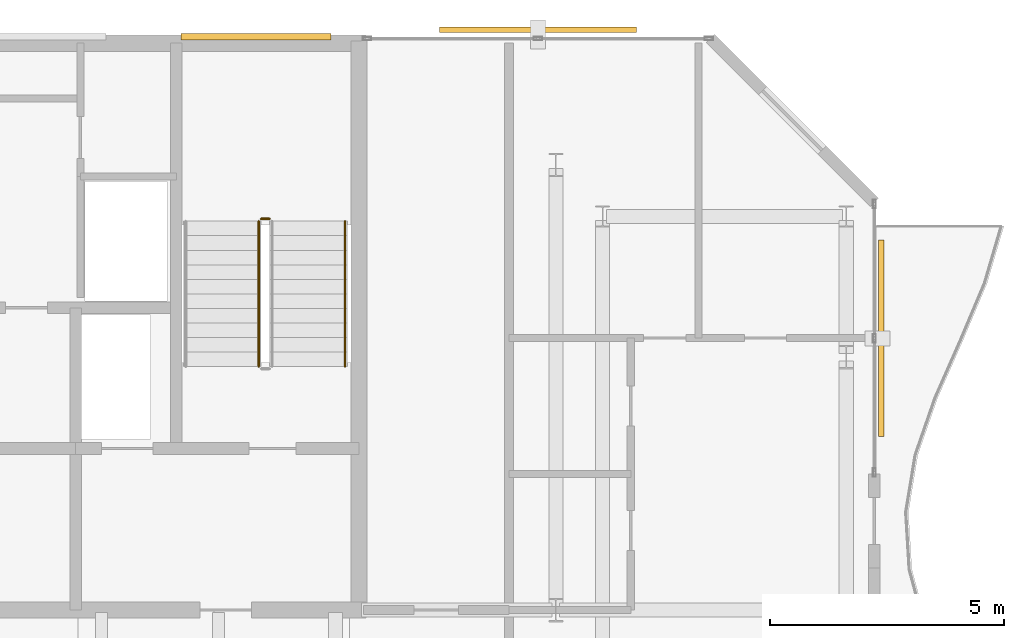
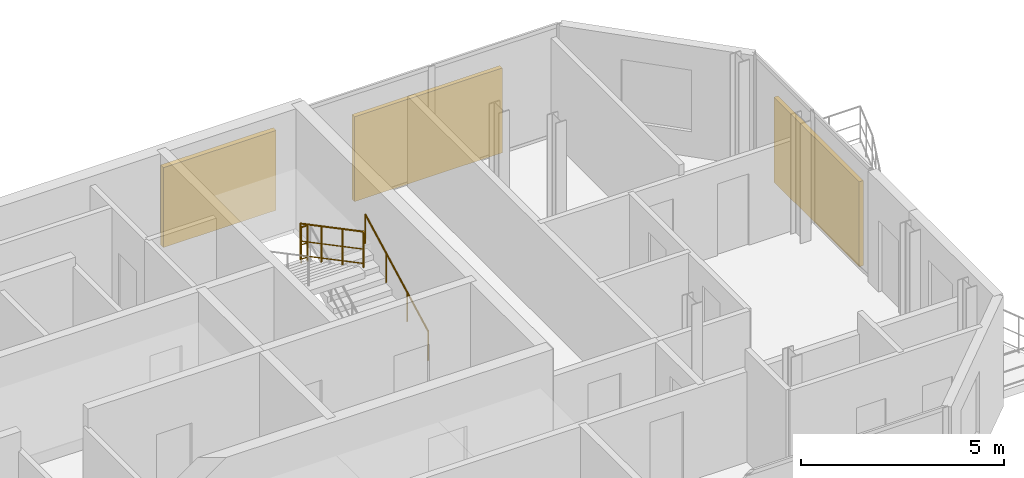
# One storey, part 23 of 23: 3 railings, 3 shading devices.
"""IFC4 building model written with IfcOpenShell, lengths in metres."""

import ifcopenshell
import ifcopenshell.guid

model = None  # the IFC model being written
_history = None  # IfcOwnerHistory: only IFC2X3 demands one
_inside = {}  # id of a spatial element -> (the spatial element, [elements in it])
_under = {}  # id of a project, library or spatial element -> (it, [spatial elements below it])
_declared = {}  # id of a project -> (the project, [libraries it declares])
_typed = {}  # id of a type object -> (the type object, [elements of that type])
_made_of = {}  # id of a material, layer set ... -> (it, [elements and type objects made of it])


def new_model(schema):
    """Start an empty IFC model of exactly this schema.

    Asked for "IFC4X3", IfcOpenShell would pick the latest addendum, in which some entities
    have other attributes; the version numbers below select the first issue.
    IFC2X3 requires an IfcOwnerHistory on every rooted entity: one is made here for all.
    """
    global model, _history
    if schema == "IFC4X3":
        model = ifcopenshell.file(schema_version=(4, 3, 0, 0))
    else:
        model = ifcopenshell.file(schema=schema)
    _inside.clear()
    _under.clear()
    _declared.clear()
    _typed.clear()
    _made_of.clear()
    _history = None
    if model.schema == "IFC2X3":
        org = make("IfcOrganization", Name="unknown")
        user = make(
            "IfcPersonAndOrganization",
            ThePerson=make("IfcPerson", FamilyName="unknown"),
            TheOrganization=org,
        )
        app = make(
            "IfcApplication",
            ApplicationDeveloper=org,
            Version="unknown",
            ApplicationFullName="unknown",
            ApplicationIdentifier="unknown",
        )
        _history = make(
            "IfcOwnerHistory",
            OwningUser=user,
            OwningApplication=app,
            ChangeAction="ADDED",
            CreationDate=0,
        )
    return model


def make(cls, **values):
    """One entity of the class cls with the attributes given. An attribute that is None is left unset."""
    return model.create_entity(
        cls, **{name: value for name, value in values.items() if value is not None}
    )


def rooted(cls, **values):
    """An entity with a GlobalId (a new one), such as an element, a storey or a relation."""
    return make(cls, GlobalId=ifcopenshell.guid.new(), OwnerHistory=_history, **values)


def si_unit(unit_type, name, prefix=None):
    """IfcSIUnit, for example si_unit("LENGTHUNIT", "METRE", prefix="MILLI")."""
    return make("IfcSIUnit", UnitType=unit_type, Prefix=prefix, Name=name)


def assignment(units):
    """IfcUnitAssignment: the units of a project."""
    return None if units is None else make("IfcUnitAssignment", Units=units)


def point(xyz):
    """IfcCartesianPoint."""
    return None if xyz is None else make("IfcCartesianPoint", Coordinates=xyz)


def direction(xyz):
    """IfcDirection."""
    return None if xyz is None else make("IfcDirection", DirectionRatios=xyz)


def frame(location, z_axis=None, x_axis=None):
    """IfcAxis2Placement3D, a coordinate frame: its origin and axes. An axis left out is left unset."""
    return make(
        "IfcAxis2Placement3D",
        Location=point(location),
        Axis=direction(z_axis),
        RefDirection=direction(x_axis),
    )


def frame_2d(location, x_axis=None):
    """IfcAxis2Placement2D, a coordinate frame in the plane: its origin and x axis."""
    return make(
        "IfcAxis2Placement2D", Location=point(location), RefDirection=direction(x_axis)
    )


def origin():
    """The frame at (0, 0, 0) with its axes left unset."""
    return frame((0.0, 0.0, 0.0))


def origin_2d():
    """The frame at (0, 0) in the plane with its x axis left unset."""
    return frame_2d((0.0, 0.0))


def place(relative_to, where):
    """IfcLocalPlacement: puts the frame where relative to a parent placement (None: the world)."""
    return make(
        "IfcLocalPlacement", PlacementRelTo=relative_to, RelativePlacement=where
    )


def context(
    kind, dimensions, precision=None, world=None, true_north=None, identifier=None
):
    """IfcGeometricRepresentationContext, for example the 3D "Model" context."""
    return make(
        "IfcGeometricRepresentationContext",
        ContextIdentifier=identifier,
        ContextType=kind,
        CoordinateSpaceDimension=dimensions,
        Precision=precision,
        WorldCoordinateSystem=world,
        TrueNorth=true_north,
    )


def subcontext(parent, identifier, kind, view, scale=None):
    """IfcGeometricRepresentationSubContext, for example "Body" below "Model"."""
    return make(
        "IfcGeometricRepresentationSubContext",
        ContextIdentifier=identifier,
        ContextType=kind,
        ParentContext=parent,
        TargetScale=scale,
        TargetView=view,
    )


def project(units=None, contexts=None):
    """IfcProject with its units and contexts."""
    return rooted(
        "IfcProject",
        Name="project",
        RepresentationContexts=contexts,
        UnitsInContext=assignment(units),
    )


def spatial(cls, under=None, at=None, **own):
    """A site, building, storey or space (cls), placed at a placement, below another one or the project."""
    s = rooted(cls, ObjectPlacement=at, **own)
    if under is not None:
        _under.setdefault(under.id(), (under, []))[1].append(s)
    return s


def profile(cls, at=None, kind="AREA", **sizes):
    """A parametric profile (cls). Its sizes go by their IFC names, for example OverallWidth=200.0."""
    return make(cls, ProfileType=kind, Position=at, **sizes)


def rectangle(**sizes):
    """IfcRectangleProfileDef."""
    return profile("IfcRectangleProfileDef", **sizes)


def circle(**sizes):
    """IfcCircleProfileDef."""
    return profile("IfcCircleProfileDef", **sizes)


def extrude(swept, where, along, depth):
    """IfcExtrudedAreaSolid: the profile swept, set in the frame where, extruded along a direction by depth."""
    return make(
        "IfcExtrudedAreaSolid",
        SweptArea=swept,
        Position=where,
        ExtrudedDirection=direction(along),
        Depth=depth,
    )


def shape(context_of_items, identifier, shape_type, items):
    """IfcShapeRepresentation: the items that make up one representation, for example the "Body"."""
    return make(
        "IfcShapeRepresentation",
        ContextOfItems=context_of_items,
        RepresentationIdentifier=identifier,
        RepresentationType=shape_type,
        Items=items,
    )


def material(Name=None, Category=None):
    """IfcMaterial."""
    return make("IfcMaterial", Name=Name, Category=Category)


def made_of(thing, what):
    """Note that an element or type object is made of a material, layer set ...; save() writes the relation."""
    if what is not None:
        _made_of.setdefault(what.id(), (what, []))[1].append(thing)
    return thing


def type_object(cls, material=None, **own):
    """A type object (cls), such as IfcWallType, which elements share."""
    return made_of(rooted(cls, **own), material)


def element(
    cls,
    number,
    at=None,
    inside=None,
    cuts=None,
    type_object=None,
    material=None,
    context=None,
    identifier="Body",
    shape_type=None,
    held_by="IfcProductDefinitionShape",
    body=None,
    shapes=None,
    **own,
):
    """One element of the class cls, such as IfcWall. Its Tag is "e" and its number.

    at: its placement. inside: the storey or other place that contains it. cuts: it is an
    opening in that element (IfcRelVoidsElement). A single representation is given by context,
    identifier, shape_type and body (its items); several are given by shapes. held_by: the class
    of the entity that holds the representations. save() writes the other relations.
    """
    e = rooted(cls, Tag="e%d" % number, ObjectPlacement=at, **own)
    if body is not None:
        shapes = [shape(context, identifier, shape_type, body)]
    if shapes is not None:
        e.Representation = make(held_by, Representations=shapes)
    if inside is not None:
        _inside.setdefault(inside.id(), (inside, []))[1].append(e)
    if cuts is not None:
        rooted(
            "IfcRelVoidsElement", RelatingBuildingElement=cuts, RelatedOpeningElement=e
        )
    if type_object is not None:
        _typed.setdefault(type_object.id(), (type_object, []))[1].append(e)
    return made_of(e, material)


def aggregate(whole, parts):
    """IfcRelAggregates: a whole, such as a stair, and the parts it consists of."""
    return rooted("IfcRelAggregates", RelatingObject=whole, RelatedObjects=parts)


def save(model, path):
    """Write the relations noted so far, then the file.

    IfcRelAggregates (storeys below a building ...), IfcRelContainedInSpatialStructure (elements
    in a storey), IfcRelDefinesByType, IfcRelAssociatesMaterial and IfcRelDeclares: one each for
    every whole, place, type object, material and project.
    """
    for whole, parts in _under.values():
        aggregate(whole, parts)
    for where, things in _inside.values():
        rooted(
            "IfcRelContainedInSpatialStructure",
            RelatedElements=things,
            RelatingStructure=where,
        )
    for kind, things in _typed.values():
        rooted("IfcRelDefinesByType", RelatedObjects=things, RelatingType=kind)
    for what, things in _made_of.values():
        rooted("IfcRelAssociatesMaterial", RelatedObjects=things, RelatingMaterial=what)
    for by, libraries in _declared.values():
        rooted("IfcRelDeclares", RelatingContext=by, RelatedDefinitions=libraries)
    model.write(path)


model = new_model("IFC4")

# Units and contexts
model_context = context("Model", 3, precision=1e-05, world=origin(), true_north=direction((0.0, 1.0)))
body_context = subcontext(model_context, "Body", "Model", "MODEL_VIEW")
ifc_project = project(units=[si_unit("LENGTHUNIT", "METRE"), si_unit("AREAUNIT", "SQUARE_METRE"), si_unit("VOLUMEUNIT", "CUBIC_METRE"), si_unit("PLANEANGLEUNIT", "RADIAN"), si_unit("MASSUNIT", "GRAM", prefix="KILO")], contexts=[model_context])

# Site, building, storey
site_placement = place(None, origin())
site = spatial("IfcSite", under=ifc_project, at=site_placement, CompositionType="ELEMENT")
building_placement = place(site_placement, origin())
building = spatial("IfcBuilding", under=site, at=building_placement, Name="Catumbela Crestline Tower", CompositionType="ELEMENT")
storey_placement = place(building_placement, frame((0.0, 0.0, 201.0)))
storey = spatial("IfcBuildingStorey", under=building, at=storey_placement, Name="L52", CompositionType="ELEMENT", Elevation=201.0)

# Railings
ifc_material_1 = material(Name="Stainless steel EN 1.4401", Category="steel")
railing_type_1 = type_object("IfcRailingType", Name="RG-1100", PredefinedType="GUARDRAIL", material=ifc_material_1)
railing_1_placement = place(storey_placement, frame((38.09, 39.15, 1.8)))
element("IfcRailing", 1, at=railing_1_placement, inside=storey, type_object=railing_type_1, Name="L52 ST-02 stair guard 2", PredefinedType="GUARDRAIL", context=body_context, shape_type="SweptSolid", body=[
    extrude(circle(Radius=0.024, at=origin_2d()), frame((0.0, 0.0, 1.076), z_axis=(-1.0, 0.0, 0.0), x_axis=(0.0, -1.0, 0.0)), (0.0, 0.0, 1.0), 0.18),
    extrude(circle(Radius=0.0156, at=origin_2d()), frame((0.0, 0.0, 0.55), z_axis=(-1.0, 0.0, 0.0), x_axis=(0.0, -1.0, 0.0)), (0.0, 0.0, 1.0), 0.18),
    extrude(circle(Radius=0.0156, at=origin_2d()), frame((0.0, 0.0, 0.12), z_axis=(-1.0, 0.0, 0.0), x_axis=(0.0, -1.0, 0.0)), (0.0, 0.0, 1.0), 0.18),
    extrude(circle(Radius=0.021, at=origin_2d()), origin(), (0.0, 0.0, 1.0), 1.052),
    extrude(circle(Radius=0.021, at=origin_2d()), frame((-0.18, 0.0, 0.0)), (0.0, 0.0, 1.0), 1.052),
])
railing_2_placement = place(storey_placement, frame((37.86, 39.1, 1.9636)))
element("IfcRailing", 2, at=railing_2_placement, inside=storey, type_object=railing_type_1, Name="L52 ST-02 stair guard 3", PredefinedType="GUARDRAIL", context=body_context, shape_type="SweptSolid", body=[
    extrude(circle(Radius=0.024, at=origin_2d()), frame((0.0, 0.0, 1.076), z_axis=(0.0, -0.884350731049, 0.466823076222), x_axis=(1.0, 0.0, 0.0)), (0.0, 0.0, 1.0), 3.5054),
    extrude(circle(Radius=0.0156, at=origin_2d()), frame((0.0, 0.0, 0.55), z_axis=(0.0, -0.884350731049, 0.466823076222), x_axis=(1.0, 0.0, 0.0)), (0.0, 0.0, 1.0), 3.5054),
    extrude(circle(Radius=0.0156, at=origin_2d()), frame((0.0, 0.0, 0.12), z_axis=(0.0, -0.884350731049, 0.466823076222), x_axis=(1.0, 0.0, 0.0)), (0.0, 0.0, 1.0), 3.5054),
    extrude(circle(Radius=0.021, at=origin_2d()), origin(), (0.0, 0.0, 1.0), 1.052),
    extrude(circle(Radius=0.021, at=origin_2d()), frame((0.0, -1.0333, 0.5455)), (0.0, 0.0, 1.0), 1.052),
    extrude(circle(Radius=0.021, at=origin_2d()), frame((0.0, -2.0667, 1.0909)), (0.0, 0.0, 1.0), 1.052),
    extrude(circle(Radius=0.021, at=origin_2d()), frame((0.0, -3.1, 1.6364)), (0.0, 0.0, 1.0), 1.052),
])
railing_type_2 = type_object("IfcRailingType", Name="RH-0900", PredefinedType="HANDRAIL", material=ifc_material_1)
railing_3_placement = place(storey_placement, frame((39.7, 36.0, 0.1636)))
element("IfcRailing", 3, at=railing_3_placement, inside=storey, type_object=railing_type_2, Name="L52 ST-02 stair handrail 1", PredefinedType="HANDRAIL", context=body_context, shape_type="SweptSolid", body=[
    extrude(circle(Radius=0.024, at=origin_2d()), frame((0.0, 0.0, 0.876), z_axis=(0.0, 0.884350731049, 0.466823076222), x_axis=(-1.0, 0.0, 0.0)), (0.0, 0.0, 1.0), 3.5054),
    extrude(circle(Radius=0.021, at=origin_2d()), origin(), (0.0, 0.0, 1.0), 0.852),
    extrude(circle(Radius=0.021, at=origin_2d()), frame((0.0, 1.0333, 0.5455)), (0.0, 0.0, 1.0), 0.852),
    extrude(circle(Radius=0.021, at=origin_2d()), frame((0.0, 2.0667, 1.0909)), (0.0, 0.0, 1.0), 0.852),
    extrude(circle(Radius=0.021, at=origin_2d()), frame((0.0, 3.1, 1.6364)), (0.0, 0.0, 1.0), 0.852),
])

# Shading devices
ifc_material_2 = material(Name="Extruded terracotta ceramic", Category="masonry")
shading_device_type_1 = type_object("IfcShadingDeviceType", Name="ST-260", PredefinedType="USERDEFINED", material=ifc_material_2)
shading_device_1_placement = place(storey_placement, frame((51.143, 36.6, -0.1), z_axis=(0.0, 0.0, 1.0), x_axis=(0.0, 1.0, 0.0)))
element("IfcShadingDevice", 4, at=shading_device_1_placement, inside=storey, type_object=shading_device_type_1, Name="L52 Perforated Terracotta Solar Screen 630 (260 mm)", ObjectType="SCREEN", PredefinedType="USERDEFINED", context=body_context, shape_type="SweptSolid", body=[
    extrude(rectangle(XDim=4.2, YDim=0.12, at=origin_2d()), origin(), (0.0, 0.0, 1.0), 2.55),
])
shading_device_type_2 = type_object("IfcShadingDeviceType", Name="ST-340", PredefinedType="USERDEFINED", material=ifc_material_2)
shading_device_2_placement = place(storey_placement, frame((37.8, 43.04, 0.55), z_axis=(0.0, 0.0, 1.0), x_axis=(1.0, 0.0, 0.0)))
element("IfcShadingDevice", 5, at=shading_device_2_placement, inside=storey, type_object=shading_device_type_2, Name="L52 Rear Core Terracotta Brise-Soleil Screen 623", ObjectType="SCREEN", PredefinedType="USERDEFINED", context=body_context, shape_type="SweptSolid", body=[
    extrude(rectangle(XDim=3.2, YDim=0.14, at=origin_2d()), origin(), (0.0, 0.0, 1.0), 2.4),
])
shading_device_3_placement = place(storey_placement, frame((43.82, 43.187, -0.1), z_axis=(0.0, 0.0, 1.0), x_axis=(-1.0, 0.0, 0.0)))
element("IfcShadingDevice", 6, at=shading_device_3_placement, inside=storey, type_object=shading_device_type_2, Name="L52 Perforated Terracotta Solar Screen 631 (340 mm)", ObjectType="SCREEN", PredefinedType="USERDEFINED", context=body_context, shape_type="SweptSolid", body=[
    extrude(rectangle(XDim=4.2, YDim=0.12, at=origin_2d()), origin(), (0.0, 0.0, 1.0), 2.55),
])

save(model, "model.ifc")
